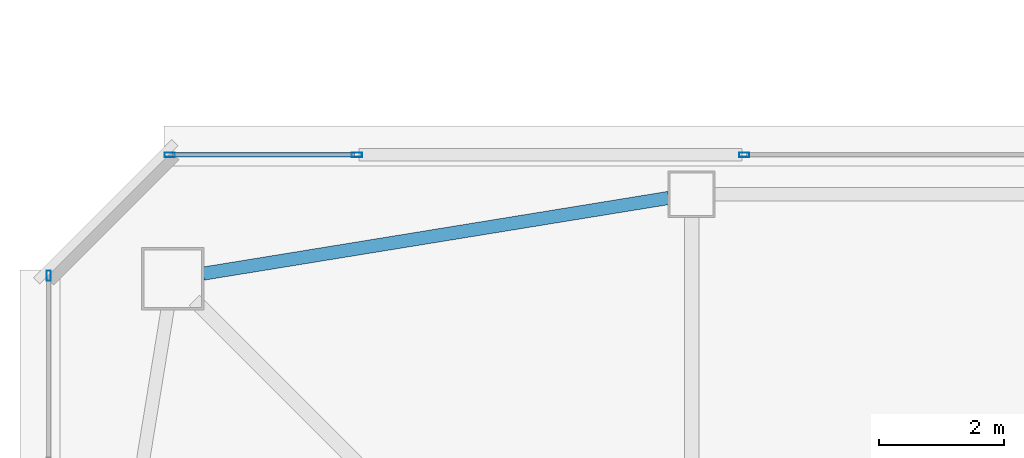
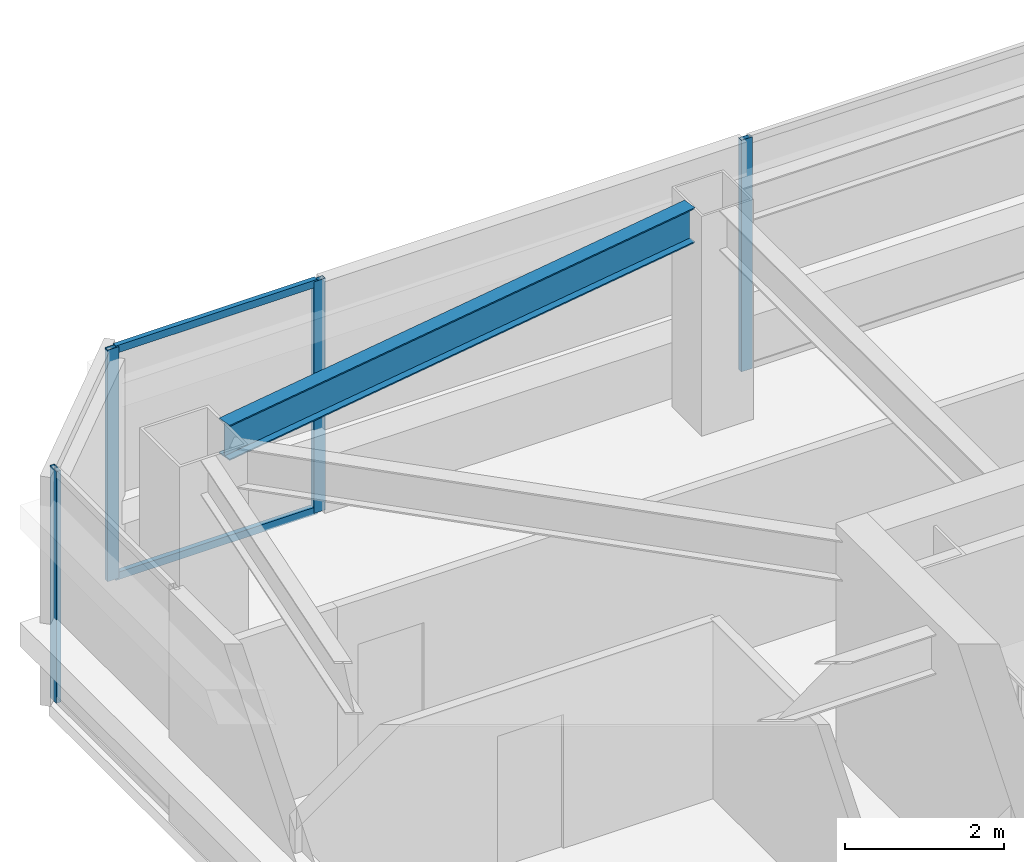
# One storey, part 12 of 36: 6 members, 1 beam, 3 elements without a shape of their own.
"""IFC4 building model written with IfcOpenShell, lengths in metres."""

from ifc_helpers import new_model, si_unit, direction, frame, origin, origin_2d, place, context, subcontext, project, spatial, hollow_rectangle, i_section, extrude, material, material_profile, profile_set, type_object, element, aggregate, save


model = new_model("IFC4")

# Units and contexts
model_context = context("Model", 3, precision=1e-05, world=origin(), true_north=direction((0.0, 1.0)))
body_context = subcontext(model_context, "Body", "Model", "MODEL_VIEW")
ifc_project = project(units=[si_unit("LENGTHUNIT", "METRE"), si_unit("AREAUNIT", "SQUARE_METRE"), si_unit("VOLUMEUNIT", "CUBIC_METRE"), si_unit("PLANEANGLEUNIT", "RADIAN"), si_unit("MASSUNIT", "GRAM", prefix="KILO")], contexts=[model_context])

# Site, building, storey
site_placement = place(None, origin())
site = spatial("IfcSite", under=ifc_project, at=site_placement, CompositionType="ELEMENT")
building_placement = place(site_placement, origin())
building = spatial("IfcBuilding", under=site, at=building_placement, Name="Tashvorn Skyway Center", CompositionType="ELEMENT")
storey_placement = place(building_placement, frame((0.0, 0.0, 236.14990234375)))
storey = spatial("IfcBuildingStorey", under=building, at=storey_placement, Name="L64", CompositionType="ELEMENT", Elevation=236.14990234375)

# Beam
ifc_material_1 = material(Name="Steel ASTM A992 Grade 50", Category="steel")
ifc_material_profile_1 = material_profile(ifc_material_1, i_section(OverallWidth=0.2109375, OverallDepth=0.5390625, WebThickness=0.01171875, FlangeThickness=0.018798828125, at=origin_2d()), Name="W21X73")
ifc_profile_set_1 = profile_set([ifc_material_profile_1], Name="Steel ASTM A992 Grade 50")
beam_type = type_object("IfcBeamType", Name="BM-SPANDREL-W21X73", PredefinedType="SPANDREL", material=ifc_profile_set_1)
beam_placement = place(storey_placement, frame((36.23486328125, 46.990478515625, 3.1005859375), z_axis=(-0.987033514444, -0.160514302677, 0.0), x_axis=(0.160514302677, -0.987033514444, 0.0)))
element("IfcBeam", 1, at=beam_placement, inside=storey, type_object=beam_type, Name="Tower 1 L64 Spandrel Beam 09", PredefinedType="SPANDREL", context=body_context, shape_type="SweptSolid", body=[
    extrude(i_section(OverallWidth=0.2109375, OverallDepth=0.5390625, WebThickness=0.01171875, FlangeThickness=0.018798828125, at=origin_2d()), origin(), (0.0, 0.0, 1.0), 7.544189453125),
])

# Curtain wall, member
ifc_material_2 = material(Name="Thermally broken bronze-anodized aluminium 6063-T6", Category="aluminium")
curtain_wall_type = type_object("IfcCurtainWallType", Name="CW-CW-Z5", PredefinedType="NOTDEFINED", material=ifc_material_2)
curtain_wall_1_placement = place(storey_placement, origin())
curtain_wall_1 = element("IfcCurtainWall", 2, at=curtain_wall_1_placement, inside=storey, type_object=curtain_wall_type, Name="Tower 1 L64 West Unitised Curtain Wall Glazing Group 3", PredefinedType="NOTDEFINED")
ifc_material_profile_2 = material_profile(ifc_material_2, hollow_rectangle(XDim=0.070068359375, YDim=0.1650390625, WallThickness=0.00390625, at=origin_2d()), Name="ALU-MULL-70x165")
ifc_profile_set_2 = profile_set([ifc_material_profile_2], Name="Thermally broken bronze-anodized aluminium 6063-T6")
member_type_1 = type_object("IfcMemberType", Name="CWM-CW-Z5", PredefinedType="MULLION", material=ifc_profile_set_2)
member_1_placement = place(storey_placement, frame((26.320068359375, 45.7451171875, 0.0), z_axis=(0.0, 0.0, 1.0), x_axis=(-1.0, 0.0, 0.0)))
member_1 = element("IfcMember", 3, at=member_1_placement, type_object=member_type_1, Name="CW-Z5 mullion 2", PredefinedType="MULLION", context=body_context, shape_type="SweptSolid", body=[
    extrude(hollow_rectangle(XDim=0.070068359375, YDim=0.1650390625, WallThickness=0.00390625, at=origin_2d()), origin(), (0.0, 0.0, 1.0), 3.550048828125),
])
aggregate(curtain_wall_1, [member_1])

# Curtain wall, members
curtain_wall_2_placement = place(storey_placement, origin())
curtain_wall_2 = element("IfcCurtainWall", 4, at=curtain_wall_2_placement, inside=storey, type_object=curtain_wall_type, Name="Tower 1 L64 North Unitised Curtain Wall Glazing Group 1", PredefinedType="NOTDEFINED")
member_2_placement = place(storey_placement, frame((28.2548828125, 47.679931640625, 0.0), z_axis=(0.0, 0.0, 1.0), x_axis=(0.0, 1.0, 0.0)))
member_2 = element("IfcMember", 5, at=member_2_placement, type_object=member_type_1, Name="CW-Z5 mullion 1", PredefinedType="MULLION", context=body_context, shape_type="SweptSolid", body=[
    extrude(hollow_rectangle(XDim=0.070068359375, YDim=0.1650390625, WallThickness=0.00390625, at=origin_2d()), origin(), (0.0, 0.0, 1.0), 3.550048828125),
])
member_3_placement = place(storey_placement, frame((31.247314453125, 47.679931640625, 0.0), z_axis=(0.0, 0.0, 1.0), x_axis=(0.0, 1.0, 0.0)))
member_3 = element("IfcMember", 6, at=member_3_placement, type_object=member_type_1, Name="CW-Z5 mullion 2", PredefinedType="MULLION", context=body_context, shape_type="SweptSolid", body=[
    extrude(hollow_rectangle(XDim=0.070068359375, YDim=0.1650390625, WallThickness=0.00390625, at=origin_2d()), origin(), (0.0, 0.0, 1.0), 3.550048828125),
])

# Curtain wall, member
curtain_wall_3_placement = place(storey_placement, origin())
curtain_wall_3 = element("IfcCurtainWall", 7, at=curtain_wall_3_placement, inside=storey, type_object=curtain_wall_type, Name="Tower 1 L64 North Unitised Curtain Wall Glazing Group 2", PredefinedType="NOTDEFINED")
member_4_placement = place(storey_placement, frame((37.441650390625, 47.679931640625, 0.0), z_axis=(0.0, 0.0, 1.0), x_axis=(0.0, 1.0, 0.0)))
member_4 = element("IfcMember", 8, at=member_4_placement, type_object=member_type_1, Name="CW-Z5 mullion 1", PredefinedType="MULLION", context=body_context, shape_type="SweptSolid", body=[
    extrude(hollow_rectangle(XDim=0.070068359375, YDim=0.1650390625, WallThickness=0.00390625, at=origin_2d()), origin(), (0.0, 0.0, 1.0), 3.550048828125),
])
aggregate(curtain_wall_3, [member_4])

# Member
ifc_material_profile_3 = material_profile(ifc_material_2, hollow_rectangle(XDim=0.070068359375, YDim=0.114990234375, WallThickness=0.00390625, at=origin_2d()), Name="ALU-TRAN-70x115")
ifc_profile_set_3 = profile_set([ifc_material_profile_3], Name="Thermally broken bronze-anodized aluminium 6063-T6")
member_type_2 = type_object("IfcMemberType", Name="CWT-CW-Z5", PredefinedType="USERDEFINED", material=ifc_profile_set_3)
member_5_placement = place(storey_placement, frame((28.2900390625, 47.679931640625, 0.03515625), z_axis=(1.0, 0.0, 0.0), x_axis=(0.0, 1.0, 0.0)))
member_5 = element("IfcMember", 9, at=member_5_placement, type_object=member_type_2, Name="CW-Z5 transom 1.1", ObjectType="TRANSOM", PredefinedType="USERDEFINED", context=body_context, shape_type="SweptSolid", body=[
    extrude(hollow_rectangle(XDim=0.070068359375, YDim=0.114990234375, WallThickness=0.00390625, at=origin_2d()), origin(), (0.0, 0.0, 1.0), 2.922119140625),
])

member_6_placement = place(storey_placement, frame((28.2900390625, 47.679931640625, 3.51513671875), z_axis=(1.0, 0.0, 0.0), x_axis=(0.0, 1.0, 0.0)))
member_6 = element("IfcMember", 10, at=member_6_placement, type_object=member_type_2, Name="CW-Z5 transom 1.2", ObjectType="TRANSOM", PredefinedType="USERDEFINED", context=body_context, shape_type="SweptSolid", body=[
    extrude(hollow_rectangle(XDim=0.070068359375, YDim=0.114990234375, WallThickness=0.00390625, at=origin_2d()), origin(), (0.0, 0.0, 1.0), 2.922119140625),
])

aggregate(curtain_wall_2, [member_2, member_3, member_5, member_6])

save(model, "model.ifc")
